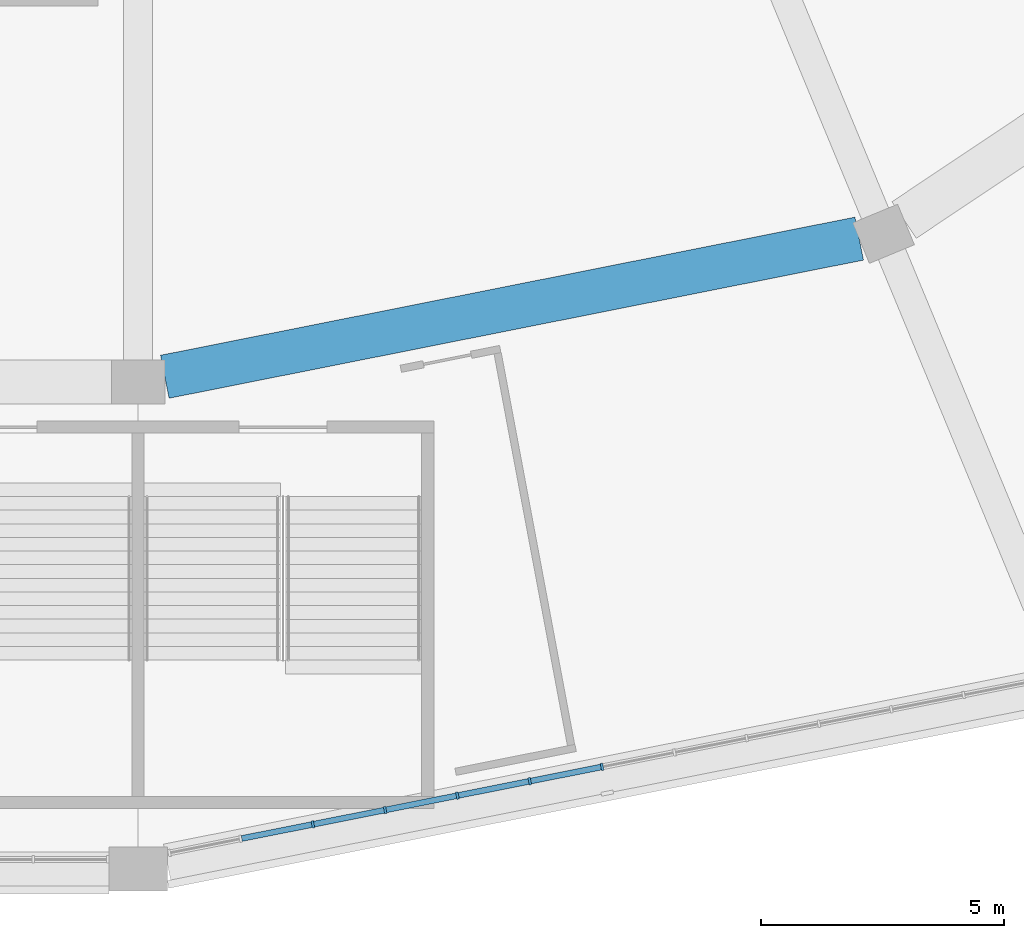
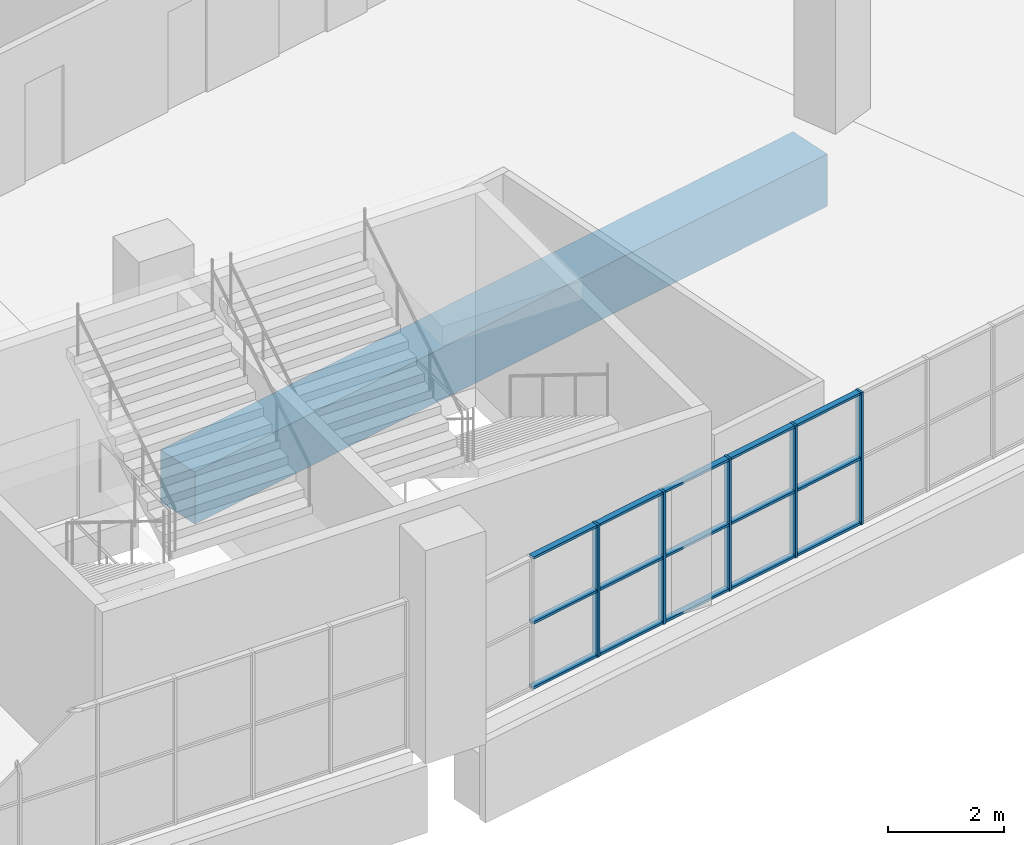
# One storey, part 15 of 199: 20 members, 1 beam, 1 element without a shape of its own.
"""IFC4 building model written with IfcOpenShell, lengths in metres."""

from ifc_helpers import new_model, si_unit, direction, frame, origin, origin_2d, place, context, subcontext, project, spatial, rectangle, extrude, material, material_profile, profile_set, type_object, element, aggregate, save


model = new_model("IFC4")

# Units and contexts
model_context = context("Model", 3, precision=1e-05, world=origin(), true_north=direction((0.0, 1.0)))
body_context = subcontext(model_context, "Body", "Model", "MODEL_VIEW")
ifc_project = project(units=[si_unit("LENGTHUNIT", "METRE"), si_unit("AREAUNIT", "SQUARE_METRE"), si_unit("VOLUMEUNIT", "CUBIC_METRE"), si_unit("PLANEANGLEUNIT", "RADIAN"), si_unit("MASSUNIT", "GRAM", prefix="KILO")], contexts=[model_context])

# Site, building, storey
site_placement = place(None, origin())
site = spatial("IfcSite", under=ifc_project, at=site_placement, CompositionType="ELEMENT")
building_placement = place(site_placement, origin())
building = spatial("IfcBuilding", under=site, at=building_placement, Name="Ogive Plaza Stadium", CompositionType="ELEMENT")
storey_placement = place(building_placement, frame((0.0, 0.0, 4.5)))
storey = spatial("IfcBuildingStorey", under=building, at=storey_placement, Name="L01", CompositionType="ELEMENT", Elevation=4.5)

# Curtain wall, members
ifc_material_1 = material(Name="Bronze-anodised aluminium with laminated glass", Category="aluminium")
curtain_wall_type = type_object("IfcCurtainWallType", Name="Lancet curtain wall", PredefinedType="NOTDEFINED", material=ifc_material_1)
curtain_wall_placement = place(storey_placement, origin())
curtain_wall = element("IfcCurtainWall", 1, at=curtain_wall_placement, inside=storey, type_object=curtain_wall_type, Name="CURTAIN WALL B11 L01", PredefinedType="NOTDEFINED")
ifc_material_2 = material(Name="Bronze-anodised aluminium", Category="aluminium")
ifc_material_profile_1 = material_profile(ifc_material_2, rectangle(XDim=0.14990234375, YDim=0.050048828125, at=origin_2d()), Name="AL 150x50")
ifc_profile_set_1 = profile_set([ifc_material_profile_1], Name="Bronze-anodised aluminium")
member_type_1 = type_object("IfcMemberType", Name="Curtain wall mullion 50x150", PredefinedType="MULLION", material=ifc_profile_set_1)
member_1_placement = place(storey_placement, frame((43.528076171875, -100.40087890625, 0.0), z_axis=(0.0, 0.0, 1.0), x_axis=(0.195090322016, -0.980785280403, 0.0)))
member_1 = element("IfcMember", 2, at=member_1_placement, type_object=member_type_1, Name="CW-B11-L01 mullion 7", PredefinedType="MULLION", context=body_context, shape_type="SweptSolid", body=[
    extrude(rectangle(XDim=0.14990234375, YDim=0.050048828125, at=origin_2d()), origin(), (0.0, 0.0, 1.0), 2.7900390625),
])
member_2_placement = place(storey_placement, frame((42.043212890625, -100.6962890625, 0.0), z_axis=(0.0, 0.0, 1.0), x_axis=(0.195090322016, -0.980785280403, 0.0)))
member_2 = element("IfcMember", 3, at=member_2_placement, type_object=member_type_1, Name="CW-B11-L01 mullion 8", PredefinedType="MULLION", context=body_context, shape_type="SweptSolid", body=[
    extrude(rectangle(XDim=0.14990234375, YDim=0.050048828125, at=origin_2d()), origin(), (0.0, 0.0, 1.0), 2.7900390625),
])
member_3_placement = place(storey_placement, frame((40.55859375, -100.991455078125, 0.0), z_axis=(0.0, 0.0, 1.0), x_axis=(0.195090322016, -0.980785280403, 0.0)))
member_3 = element("IfcMember", 4, at=member_3_placement, type_object=member_type_1, Name="CW-B11-L01 mullion 9", PredefinedType="MULLION", context=body_context, shape_type="SweptSolid", body=[
    extrude(rectangle(XDim=0.14990234375, YDim=0.050048828125, at=origin_2d()), origin(), (0.0, 0.0, 1.0), 2.7900390625),
])
member_4_placement = place(storey_placement, frame((39.07373046875, -101.286865234375, 0.0), z_axis=(0.0, 0.0, 1.0), x_axis=(0.195090322016, -0.980785280403, 0.0)))
member_4 = element("IfcMember", 5, at=member_4_placement, type_object=member_type_1, Name="CW-B11-L01 mullion 10", PredefinedType="MULLION", context=body_context, shape_type="SweptSolid", body=[
    extrude(rectangle(XDim=0.14990234375, YDim=0.050048828125, at=origin_2d()), origin(), (0.0, 0.0, 1.0), 2.7900390625),
])
member_5_placement = place(storey_placement, frame((37.589111328125, -101.582275390625, 0.0), z_axis=(0.0, 0.0, 1.0), x_axis=(0.195090322016, -0.980785280403, 0.0)))
member_5 = element("IfcMember", 6, at=member_5_placement, type_object=member_type_1, Name="CW-B11-L01 mullion 11", PredefinedType="MULLION", context=body_context, shape_type="SweptSolid", body=[
    extrude(rectangle(XDim=0.14990234375, YDim=0.050048828125, at=origin_2d()), origin(), (0.0, 0.0, 1.0), 2.7900390625),
])
ifc_material_3 = material(Name="Bronze-anodised aluminium", Category="aluminium")
ifc_material_profile_2 = material_profile(ifc_material_3, rectangle(XDim=0.1201171875, YDim=0.050048828125, at=origin_2d()), Name="AL 120x50")
ifc_profile_set_2 = profile_set([ifc_material_profile_2], Name="Bronze-anodised aluminium")
member_type_2 = type_object("IfcMemberType", Name="Curtain wall transom 50x120", PredefinedType="USERDEFINED", material=ifc_profile_set_2)
member_6_placement = place(storey_placement, frame((43.503662109375, -100.40576171875, 0.02490234375), z_axis=(-0.980779013771, -0.195121823859, 0.0), x_axis=(0.195121823859, -0.980779013771, 0.0)))
member_6 = element("IfcMember", 7, at=member_6_placement, type_object=member_type_2, Name="CW-B11-L01 transom 7.1", ObjectType="TRANSOM", PredefinedType="USERDEFINED", context=body_context, shape_type="SweptSolid", body=[
    extrude(rectangle(XDim=0.1201171875, YDim=0.050048828125, at=origin_2d()), origin(), (0.0, 0.0, 1.0), 1.4638671875),
])
member_7_placement = place(storey_placement, frame((43.503662109375, -100.40576171875, 1.39501953125), z_axis=(-0.980779013771, -0.195121823859, 0.0), x_axis=(0.195121823859, -0.980779013771, 0.0)))
member_7 = element("IfcMember", 8, at=member_7_placement, type_object=member_type_2, Name="CW-B11-L01 transom 7.2", ObjectType="TRANSOM", PredefinedType="USERDEFINED", context=body_context, shape_type="SweptSolid", body=[
    extrude(rectangle(XDim=0.1201171875, YDim=0.050048828125, at=origin_2d()), origin(), (0.0, 0.0, 1.0), 1.4638671875),
])
member_8_placement = place(storey_placement, frame((43.503662109375, -100.40576171875, 2.764892578125), z_axis=(-0.980779013771, -0.195121823859, 0.0), x_axis=(0.195121823859, -0.980779013771, 0.0)))
member_8 = element("IfcMember", 9, at=member_8_placement, type_object=member_type_2, Name="CW-B11-L01 transom 7.3", ObjectType="TRANSOM", PredefinedType="USERDEFINED", context=body_context, shape_type="SweptSolid", body=[
    extrude(rectangle(XDim=0.1201171875, YDim=0.050048828125, at=origin_2d()), origin(), (0.0, 0.0, 1.0), 1.4638671875),
])
member_9_placement = place(storey_placement, frame((42.018798828125, -100.700927734375, 0.02490234375), z_axis=(-0.980779013771, -0.195121823859, 0.0), x_axis=(0.195121823859, -0.980779013771, 0.0)))
member_9 = element("IfcMember", 10, at=member_9_placement, type_object=member_type_2, Name="CW-B11-L01 transom 8.1", ObjectType="TRANSOM", PredefinedType="USERDEFINED", context=body_context, shape_type="SweptSolid", body=[
    extrude(rectangle(XDim=0.1201171875, YDim=0.050048828125, at=origin_2d()), origin(), (0.0, 0.0, 1.0), 1.4638671875),
])
member_10_placement = place(storey_placement, frame((42.018798828125, -100.700927734375, 1.39501953125), z_axis=(-0.980779013771, -0.195121823859, 0.0), x_axis=(0.195121823859, -0.980779013771, 0.0)))
member_10 = element("IfcMember", 11, at=member_10_placement, type_object=member_type_2, Name="CW-B11-L01 transom 8.2", ObjectType="TRANSOM", PredefinedType="USERDEFINED", context=body_context, shape_type="SweptSolid", body=[
    extrude(rectangle(XDim=0.1201171875, YDim=0.050048828125, at=origin_2d()), origin(), (0.0, 0.0, 1.0), 1.4638671875),
])
member_11_placement = place(storey_placement, frame((42.018798828125, -100.700927734375, 2.764892578125), z_axis=(-0.980779013771, -0.195121823859, 0.0), x_axis=(0.195121823859, -0.980779013771, 0.0)))
member_11 = element("IfcMember", 12, at=member_11_placement, type_object=member_type_2, Name="CW-B11-L01 transom 8.3", ObjectType="TRANSOM", PredefinedType="USERDEFINED", context=body_context, shape_type="SweptSolid", body=[
    extrude(rectangle(XDim=0.1201171875, YDim=0.050048828125, at=origin_2d()), origin(), (0.0, 0.0, 1.0), 1.4638671875),
])
member_12_placement = place(storey_placement, frame((40.533935546875, -100.996337890625, 0.02490234375), z_axis=(-0.980772662828, -0.195153744134, 0.0), x_axis=(0.195153744134, -0.980772662828, 0.0)))
member_12 = element("IfcMember", 13, at=member_12_placement, type_object=member_type_2, Name="CW-B11-L01 transom 9.1", ObjectType="TRANSOM", PredefinedType="USERDEFINED", context=body_context, shape_type="SweptSolid", body=[
    extrude(rectangle(XDim=0.1201171875, YDim=0.050048828125, at=origin_2d()), origin(), (0.0, 0.0, 1.0), 1.463623046875),
])
member_13_placement = place(storey_placement, frame((40.533935546875, -100.996337890625, 1.39501953125), z_axis=(-0.980772662828, -0.195153744134, 0.0), x_axis=(0.195153744134, -0.980772662828, 0.0)))
member_13 = element("IfcMember", 14, at=member_13_placement, type_object=member_type_2, Name="CW-B11-L01 transom 9.2", ObjectType="TRANSOM", PredefinedType="USERDEFINED", context=body_context, shape_type="SweptSolid", body=[
    extrude(rectangle(XDim=0.1201171875, YDim=0.050048828125, at=origin_2d()), origin(), (0.0, 0.0, 1.0), 1.463623046875),
])
member_14_placement = place(storey_placement, frame((40.533935546875, -100.996337890625, 2.764892578125), z_axis=(-0.980772662828, -0.195153744134, 0.0), x_axis=(0.195153744134, -0.980772662828, 0.0)))
member_14 = element("IfcMember", 15, at=member_14_placement, type_object=member_type_2, Name="CW-B11-L01 transom 9.3", ObjectType="TRANSOM", PredefinedType="USERDEFINED", context=body_context, shape_type="SweptSolid", body=[
    extrude(rectangle(XDim=0.1201171875, YDim=0.050048828125, at=origin_2d()), origin(), (0.0, 0.0, 1.0), 1.463623046875),
])
member_15_placement = place(storey_placement, frame((39.04931640625, -101.291748046875, 0.02490234375), z_axis=(-0.980779013771, -0.195121823859, 0.0), x_axis=(0.195121823859, -0.980779013771, 0.0)))
member_15 = element("IfcMember", 16, at=member_15_placement, type_object=member_type_2, Name="CW-B11-L01 transom 10.1", ObjectType="TRANSOM", PredefinedType="USERDEFINED", context=body_context, shape_type="SweptSolid", body=[
    extrude(rectangle(XDim=0.1201171875, YDim=0.050048828125, at=origin_2d()), origin(), (0.0, 0.0, 1.0), 1.4638671875),
])
member_16_placement = place(storey_placement, frame((39.04931640625, -101.291748046875, 1.39501953125), z_axis=(-0.980779013771, -0.195121823859, 0.0), x_axis=(0.195121823859, -0.980779013771, 0.0)))
member_16 = element("IfcMember", 17, at=member_16_placement, type_object=member_type_2, Name="CW-B11-L01 transom 10.2", ObjectType="TRANSOM", PredefinedType="USERDEFINED", context=body_context, shape_type="SweptSolid", body=[
    extrude(rectangle(XDim=0.1201171875, YDim=0.050048828125, at=origin_2d()), origin(), (0.0, 0.0, 1.0), 1.4638671875),
])
member_17_placement = place(storey_placement, frame((39.04931640625, -101.291748046875, 2.764892578125), z_axis=(-0.980779013771, -0.195121823859, 0.0), x_axis=(0.195121823859, -0.980779013771, 0.0)))
member_17 = element("IfcMember", 18, at=member_17_placement, type_object=member_type_2, Name="CW-B11-L01 transom 10.3", ObjectType="TRANSOM", PredefinedType="USERDEFINED", context=body_context, shape_type="SweptSolid", body=[
    extrude(rectangle(XDim=0.1201171875, YDim=0.050048828125, at=origin_2d()), origin(), (0.0, 0.0, 1.0), 1.4638671875),
])
member_18_placement = place(storey_placement, frame((37.564453125, -101.587158203125, 0.02490234375), z_axis=(-0.980804576136, -0.194993290732, 0.0), x_axis=(0.194993290732, -0.980804576136, 0.0)))
member_18 = element("IfcMember", 19, at=member_18_placement, type_object=member_type_2, Name="CW-B11-L01 transom 11.1", ObjectType="TRANSOM", PredefinedType="USERDEFINED", context=body_context, shape_type="SweptSolid", body=[
    extrude(rectangle(XDim=0.1201171875, YDim=0.050048828125, at=origin_2d()), origin(), (0.0, 0.0, 1.0), 1.463623046875),
])
member_19_placement = place(storey_placement, frame((37.564453125, -101.587158203125, 1.39501953125), z_axis=(-0.980804576136, -0.194993290732, 0.0), x_axis=(0.194993290732, -0.980804576136, 0.0)))
member_19 = element("IfcMember", 20, at=member_19_placement, type_object=member_type_2, Name="CW-B11-L01 transom 11.2", ObjectType="TRANSOM", PredefinedType="USERDEFINED", context=body_context, shape_type="SweptSolid", body=[
    extrude(rectangle(XDim=0.1201171875, YDim=0.050048828125, at=origin_2d()), origin(), (0.0, 0.0, 1.0), 1.463623046875),
])
member_20_placement = place(storey_placement, frame((37.564453125, -101.587158203125, 2.764892578125), z_axis=(-0.980804576136, -0.194993290732, 0.0), x_axis=(0.194993290732, -0.980804576136, 0.0)))
member_20 = element("IfcMember", 21, at=member_20_placement, type_object=member_type_2, Name="CW-B11-L01 transom 11.3", ObjectType="TRANSOM", PredefinedType="USERDEFINED", context=body_context, shape_type="SweptSolid", body=[
    extrude(rectangle(XDim=0.1201171875, YDim=0.050048828125, at=origin_2d()), origin(), (0.0, 0.0, 1.0), 1.463623046875),
])
aggregate(curtain_wall, [member_1, member_2, member_3, member_4, member_5, member_6, member_7, member_8, member_9, member_10, member_11, member_12, member_13, member_14, member_15, member_16, member_17, member_18, member_19, member_20])

# Beam
ifc_material_4 = material(Name="Concrete C40/50", Category="concrete")
ifc_material_profile_3 = material_profile(ifc_material_4, rectangle(XDim=0.89990234375, YDim=1.10009765625, at=origin_2d()), Name="RC 900x1100")
ifc_profile_set_3 = profile_set([ifc_material_profile_3], Name="Concrete C40/50")
beam_type = type_object("IfcBeamType", Name="RC ring beam 900x1100", PredefinedType="BEAM", material=ifc_profile_set_3)
beam_placement = place(storey_placement, frame((48.807373046875, -89.5546875, -0.9599609375), z_axis=(-0.980785551724, -0.195088957992, 0.0), x_axis=(0.195088957992, -0.980785551724, 0.0)))
element("IfcBeam", 22, at=beam_placement, inside=storey, type_object=beam_type, Name="Ring beam F4 L01 B11", PredefinedType="BEAM", context=body_context, shape_type="SweptSolid", body=[
    extrude(rectangle(XDim=0.89990234375, YDim=1.10009765625, at=origin_2d()), origin(), (0.0, 0.0, 1.0), 14.53662109375),
])

save(model, "model.ifc")
